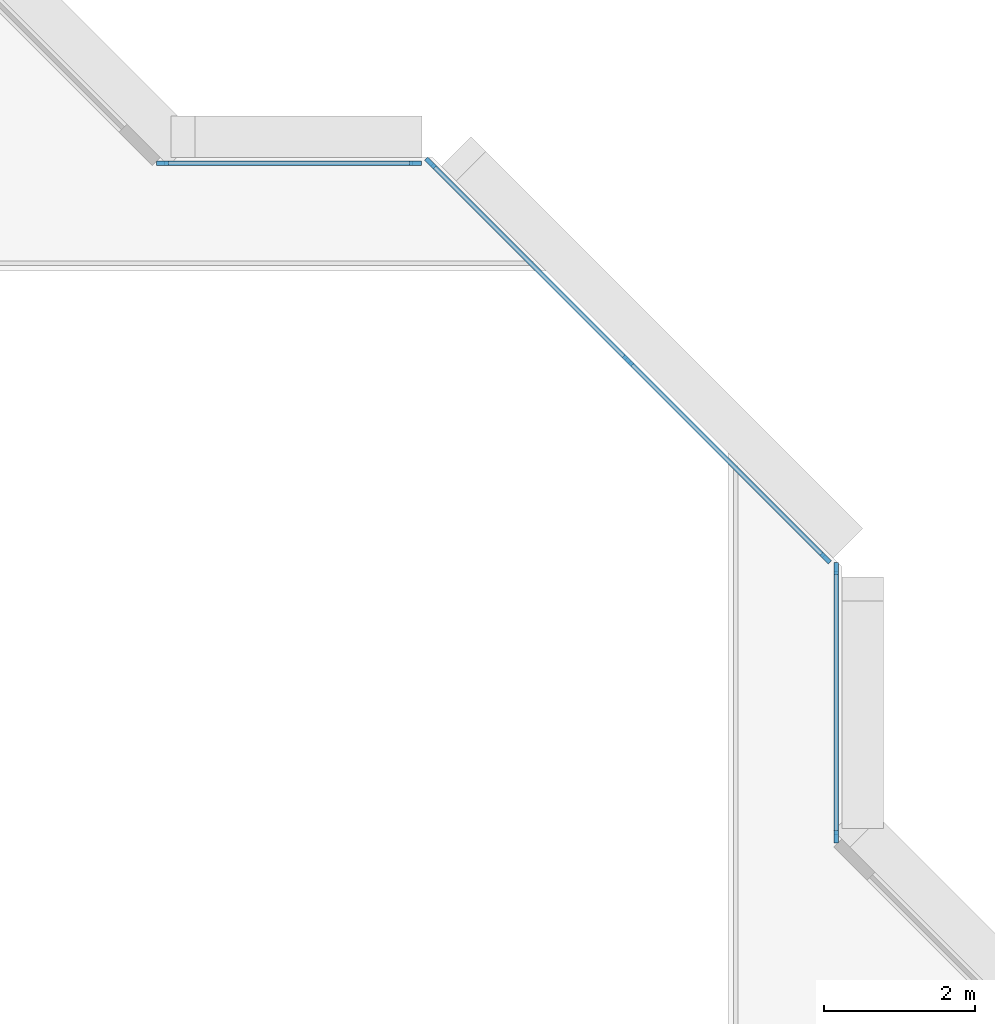
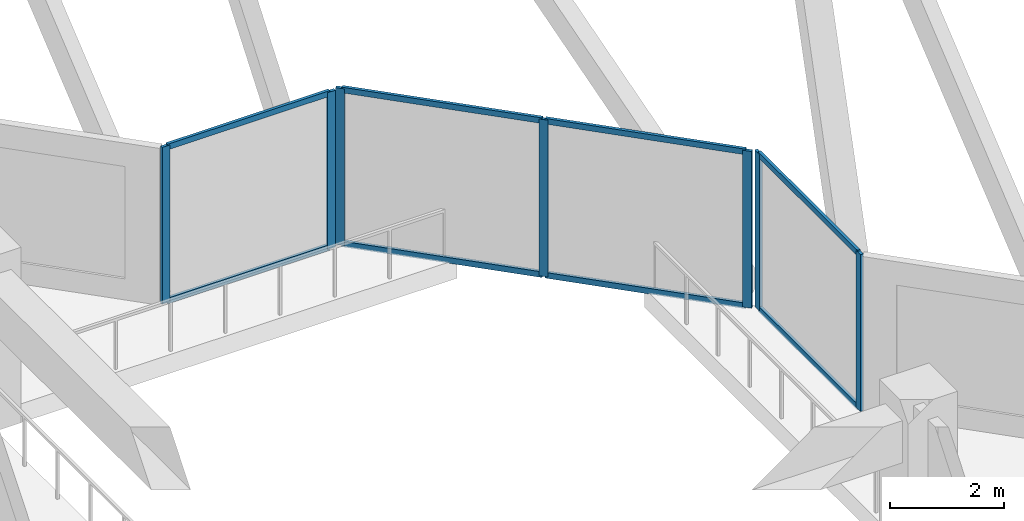
# One storey, part 2 of 15: 15 members, 3 elements without a shape of their own.
"""IFC4 building model written with IfcOpenShell, lengths in metres."""

from ifc_helpers import new_model, si_unit, direction, frame, origin, origin_2d, place, context, subcontext, project, spatial, rectangle, extrude, material, layer, layer_set, material_profile, profile_set, type_object, element, aggregate, save


model = new_model("IFC4")

# Units and contexts
model_context = context("Model", 3, precision=1e-05, world=origin(), true_north=direction((0.0, 1.0)))
body_context = subcontext(model_context, "Body", "Model", "MODEL_VIEW")
ifc_project = project(units=[si_unit("LENGTHUNIT", "METRE"), si_unit("AREAUNIT", "SQUARE_METRE"), si_unit("VOLUMEUNIT", "CUBIC_METRE"), si_unit("PLANEANGLEUNIT", "RADIAN"), si_unit("MASSUNIT", "GRAM", prefix="KILO")], contexts=[model_context])

# Site, building, storey
site_placement = place(None, origin())
site = spatial("IfcSite", under=ifc_project, at=site_placement, CompositionType="ELEMENT")
building_placement = place(site_placement, origin())
building = spatial("IfcBuilding", under=site, at=building_placement, Name="Chenar Terraces", CompositionType="ELEMENT")
storey_placement = place(building_placement, frame((0.0, 0.0, 129.39990234375)))
storey = spatial("IfcBuildingStorey", under=building, at=storey_placement, Name="L30", CompositionType="ELEMENT", Elevation=129.39990234375)

# Curtain wall, members
ifc_material_1 = material(Name="Aluminium framed glazing", Category="aluminium")
ifc_layer = layer(ifc_material_1, 0.14990234375)
ifc_layer_set = layer_set([ifc_layer], Name="Aluminium framed glazing")
curtain_wall_type = type_object("IfcCurtainWallType", Name="Atrium curtain wall", PredefinedType="NOTDEFINED", material=ifc_layer_set)
placement = place(storey_placement, origin())
curtain_wall_1 = element("IfcCurtainWall", 1, at=placement, inside=storey, type_object=curtain_wall_type, Name="Atrium curtain wall", PredefinedType="NOTDEFINED")
ifc_material_2 = material(Name="Aluminium", Category="aluminium")
ifc_material_profile_1 = material_profile(ifc_material_2, rectangle(XDim=0.06005859375, YDim=0.159912109375, at=origin_2d()), Name="Atrium glazing mullion 60 x 160")
ifc_profile_set_1 = profile_set([ifc_material_profile_1], Name="Aluminium")
member_type_1 = type_object("IfcMemberType", Name="Atrium glazing mullion 60 x 160", PredefinedType="MULLION", material=ifc_profile_set_1)
member_1_placement = place(storey_placement, frame((37.425048828125, 28.530029296875, 0.0), z_axis=(0.0, 0.0, 1.0), x_axis=(-1.0, 0.0, 0.0)))
member_1 = element("IfcMember", 2, at=member_1_placement, type_object=member_type_1, Name="CW1-1 mullion 1", PredefinedType="MULLION", context=body_context, shape_type="SweptSolid", body=[
    extrude(rectangle(XDim=0.06005859375, YDim=0.159912109375, at=origin_2d()), origin(), (0.0, 0.0, 1.0), 3.35009765625),
])
member_2_placement = place(storey_placement, frame((37.425048828125, 32.070068359375, 0.0), z_axis=(0.0, 0.0, 1.0), x_axis=(-1.0, 0.0, 0.0)))
member_2 = element("IfcMember", 3, at=member_2_placement, type_object=member_type_1, Name="CW1-1 mullion 2", PredefinedType="MULLION", context=body_context, shape_type="SweptSolid", body=[
    extrude(rectangle(XDim=0.06005859375, YDim=0.159912109375, at=origin_2d()), origin(), (0.0, 0.0, 1.0), 3.35009765625),
])

curtain_wall_2 = element("IfcCurtainWall", 4, at=placement, inside=storey, type_object=curtain_wall_type, Name="Atrium curtain wall", PredefinedType="NOTDEFINED")
member_3_placement = place(storey_placement, frame((37.284423828125, 32.209716796875, 0.0), z_axis=(0.0, 0.0, 1.0), x_axis=(-0.707106781187, -0.707106781187, 0.0)))
member_3 = element("IfcMember", 5, at=member_3_placement, type_object=member_type_1, Name="CW1-2 mullion 1", PredefinedType="MULLION", context=body_context, shape_type="SweptSolid", body=[
    extrude(rectangle(XDim=0.06005859375, YDim=0.159912109375, at=origin_2d()), origin(), (0.0, 0.0, 1.0), 3.35009765625),
])
member_4_placement = place(storey_placement, frame((34.67626953125, 34.817626953125, 0.0), z_axis=(0.0, 0.0, 1.0), x_axis=(-0.707106781187, -0.707106781187, 0.0)))
member_4 = element("IfcMember", 6, at=member_4_placement, type_object=member_type_1, Name="CW1-2 mullion 2", PredefinedType="MULLION", context=body_context, shape_type="SweptSolid", body=[
    extrude(rectangle(XDim=0.06005859375, YDim=0.159912109375, at=origin_2d()), origin(), (0.0, 0.0, 1.0), 3.35009765625),
])
member_5_placement = place(storey_placement, frame((32.068115234375, 37.42578125, 0.0), z_axis=(0.0, 0.0, 1.0), x_axis=(-0.707106781187, -0.707106781187, 0.0)))
member_5 = element("IfcMember", 7, at=member_5_placement, type_object=member_type_1, Name="CW1-2 mullion 3", PredefinedType="MULLION", context=body_context, shape_type="SweptSolid", body=[
    extrude(rectangle(XDim=0.06005859375, YDim=0.159912109375, at=origin_2d()), origin(), (0.0, 0.0, 1.0), 3.35009765625),
])

curtain_wall_3 = element("IfcCurtainWall", 8, at=placement, inside=storey, type_object=curtain_wall_type, Name="Atrium curtain wall", PredefinedType="NOTDEFINED")
member_6_placement = place(storey_placement, frame((31.8701171875, 37.425048828125, 0.0), z_axis=(0.0, 0.0, 1.0), x_axis=(0.0, -1.0, 0.0)))
member_6 = element("IfcMember", 9, at=member_6_placement, type_object=member_type_1, Name="CW1-3 mullion 1", PredefinedType="MULLION", context=body_context, shape_type="SweptSolid", body=[
    extrude(rectangle(XDim=0.06005859375, YDim=0.159912109375, at=origin_2d()), origin(), (0.0, 0.0, 1.0), 3.35009765625),
])
member_7_placement = place(storey_placement, frame((28.530029296875, 37.425048828125, 0.0), z_axis=(0.0, 0.0, 1.0), x_axis=(0.0, -1.0, 0.0)))
member_7 = element("IfcMember", 10, at=member_7_placement, type_object=member_type_1, Name="CW1-3 mullion 2", PredefinedType="MULLION", context=body_context, shape_type="SweptSolid", body=[
    extrude(rectangle(XDim=0.06005859375, YDim=0.159912109375, at=origin_2d()), origin(), (0.0, 0.0, 1.0), 3.35009765625),
])

# Member
ifc_material_3 = material(Name="Aluminium", Category="aluminium")
ifc_material_profile_2 = material_profile(ifc_material_3, rectangle(XDim=0.06005859375, YDim=0.1201171875, at=origin_2d()), Name="Atrium glazing transom 60 x 120")
ifc_profile_set_2 = profile_set([ifc_material_profile_2], Name="Aluminium")
member_type_2 = type_object("IfcMemberType", Name="Atrium glazing transom 60 x 120", PredefinedType="USERDEFINED", material=ifc_profile_set_2)
member_8_placement = place(storey_placement, frame((37.425048828125, 28.56005859375, 0.030029296875), z_axis=(0.0, 1.0, 0.0), x_axis=(-1.0, 0.0, 0.0)))
member_8 = element("IfcMember", 11, at=member_8_placement, type_object=member_type_2, Name="CW1-1 transom 1.1", ObjectType="TRANSOM", PredefinedType="USERDEFINED", context=body_context, shape_type="SweptSolid", body=[
    extrude(rectangle(XDim=0.06005859375, YDim=0.1201171875, at=origin_2d()), origin(), (0.0, 0.0, 1.0), 3.47998046875),
])

member_9_placement = place(storey_placement, frame((37.425048828125, 28.56005859375, 3.320068359375), z_axis=(0.0, 1.0, 0.0), x_axis=(-1.0, 0.0, 0.0)))
member_9 = element("IfcMember", 12, at=member_9_placement, type_object=member_type_2, Name="CW1-1 transom 1.2", ObjectType="TRANSOM", PredefinedType="USERDEFINED", context=body_context, shape_type="SweptSolid", body=[
    extrude(rectangle(XDim=0.06005859375, YDim=0.1201171875, at=origin_2d()), origin(), (0.0, 0.0, 1.0), 3.47998046875),
])

aggregate(curtain_wall_1, [member_1, member_2, member_8, member_9])

member_10_placement = place(storey_placement, frame((37.26318359375, 32.230712890625, 0.030029296875), z_axis=(-0.707106781187, 0.707106781187, 0.0), x_axis=(-0.707106781187, -0.707106781187, 0.0)))
member_10 = element("IfcMember", 13, at=member_10_placement, type_object=member_type_2, Name="CW1-2 transom 1.1", ObjectType="TRANSOM", PredefinedType="USERDEFINED", context=body_context, shape_type="SweptSolid", body=[
    extrude(rectangle(XDim=0.06005859375, YDim=0.1201171875, at=origin_2d()), origin(), (0.0, 0.0, 1.0), 3.62841796875),
])

member_11_placement = place(storey_placement, frame((37.26318359375, 32.230712890625, 3.320068359375), z_axis=(-0.707106781187, 0.707106781187, 0.0), x_axis=(-0.707106781187, -0.707106781187, 0.0)))
member_11 = element("IfcMember", 14, at=member_11_placement, type_object=member_type_2, Name="CW1-2 transom 1.2", ObjectType="TRANSOM", PredefinedType="USERDEFINED", context=body_context, shape_type="SweptSolid", body=[
    extrude(rectangle(XDim=0.06005859375, YDim=0.1201171875, at=origin_2d()), origin(), (0.0, 0.0, 1.0), 3.62841796875),
])

member_12_placement = place(storey_placement, frame((34.655029296875, 34.8388671875, 0.030029296875), z_axis=(-0.707106781187, 0.707106781187, 0.0), x_axis=(-0.707106781187, -0.707106781187, 0.0)))
member_12 = element("IfcMember", 15, at=member_12_placement, type_object=member_type_2, Name="CW1-2 transom 2.1", ObjectType="TRANSOM", PredefinedType="USERDEFINED", context=body_context, shape_type="SweptSolid", body=[
    extrude(rectangle(XDim=0.06005859375, YDim=0.1201171875, at=origin_2d()), origin(), (0.0, 0.0, 1.0), 3.62841796875),
])

member_13_placement = place(storey_placement, frame((34.655029296875, 34.8388671875, 3.320068359375), z_axis=(-0.707106781187, 0.707106781187, 0.0), x_axis=(-0.707106781187, -0.707106781187, 0.0)))
member_13 = element("IfcMember", 16, at=member_13_placement, type_object=member_type_2, Name="CW1-2 transom 2.2", ObjectType="TRANSOM", PredefinedType="USERDEFINED", context=body_context, shape_type="SweptSolid", body=[
    extrude(rectangle(XDim=0.06005859375, YDim=0.1201171875, at=origin_2d()), origin(), (0.0, 0.0, 1.0), 3.62841796875),
])

aggregate(curtain_wall_2, [member_3, member_4, member_5, member_10, member_11, member_12, member_13])

member_14_placement = place(storey_placement, frame((31.840087890625, 37.425048828125, 0.030029296875), z_axis=(-1.0, 0.0, 0.0), x_axis=(0.0, -1.0, 0.0)))
member_14 = element("IfcMember", 17, at=member_14_placement, type_object=member_type_2, Name="CW1-3 transom 1.1", ObjectType="TRANSOM", PredefinedType="USERDEFINED", context=body_context, shape_type="SweptSolid", body=[
    extrude(rectangle(XDim=0.06005859375, YDim=0.1201171875, at=origin_2d()), origin(), (0.0, 0.0, 1.0), 3.280029296875),
])

member_15_placement = place(storey_placement, frame((31.840087890625, 37.425048828125, 3.320068359375), z_axis=(-1.0, 0.0, 0.0), x_axis=(0.0, -1.0, 0.0)))
member_15 = element("IfcMember", 18, at=member_15_placement, type_object=member_type_2, Name="CW1-3 transom 1.2", ObjectType="TRANSOM", PredefinedType="USERDEFINED", context=body_context, shape_type="SweptSolid", body=[
    extrude(rectangle(XDim=0.06005859375, YDim=0.1201171875, at=origin_2d()), origin(), (0.0, 0.0, 1.0), 3.280029296875),
])

aggregate(curtain_wall_3, [member_6, member_7, member_14, member_15])

save(model, "model.ifc")
